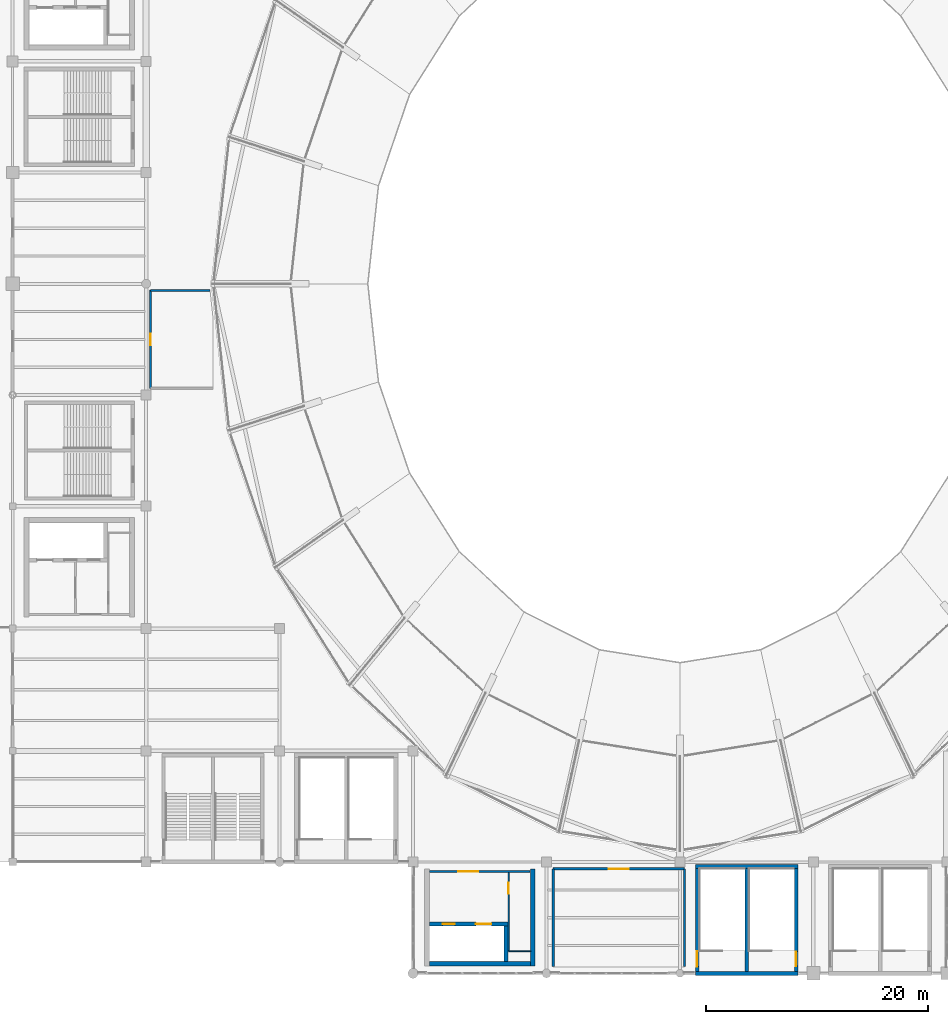
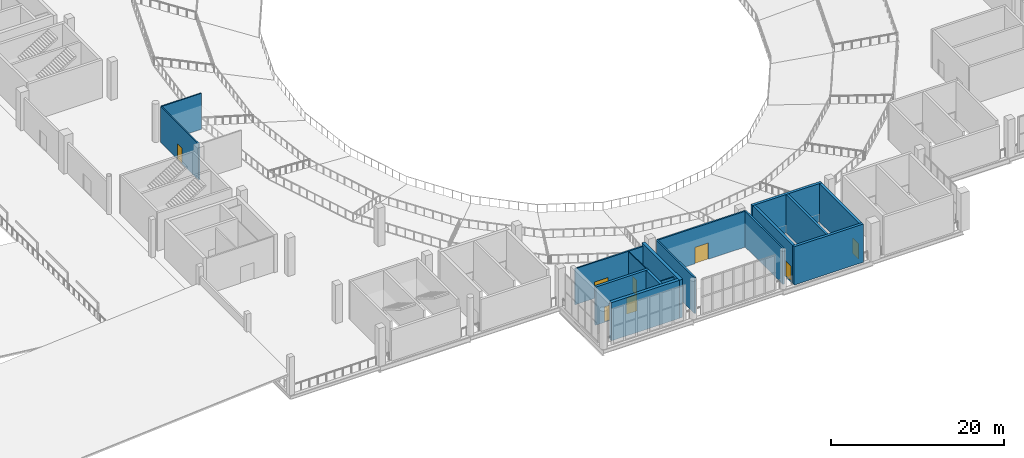
# One storey, part 51 of 74: 17 walls, 8 doors, 8 openings.
"""IFC4 building model written with IfcOpenShell, lengths in metres."""

from ifc_helpers import new_model, si_unit, direction, frame, frame_2d, origin, place, context, subcontext, project, spatial, rectangle, extrude, material, layer, layer_set, type_object, element, fill, save


model = new_model("IFC4")

# Units and contexts
model_context = context("Model", 3, precision=1e-05, world=origin(), true_north=direction((0.0, 1.0)))
body_context = subcontext(model_context, "Body", "Model", "MODEL_VIEW")
ifc_project = project(units=[si_unit("LENGTHUNIT", "METRE"), si_unit("AREAUNIT", "SQUARE_METRE"), si_unit("VOLUMEUNIT", "CUBIC_METRE"), si_unit("PLANEANGLEUNIT", "RADIAN"), si_unit("MASSUNIT", "GRAM", prefix="KILO")], contexts=[model_context])

# Site, building, storey
site_placement = place(None, origin())
site = spatial("IfcSite", under=ifc_project, at=site_placement, CompositionType="ELEMENT")
building_placement = place(site_placement, origin())
building = spatial("IfcBuilding", under=site, at=building_placement, Name="Brinegate Civic Arena", CompositionType="ELEMENT")
storey_placement = place(building_placement, frame((0.0, 0.0, 19.199951171875)))
storey = spatial("IfcBuildingStorey", under=building, at=storey_placement, Name="L04", CompositionType="ELEMENT", Elevation=19.199951171875)

# Wall
ifc_material_1 = material(Name="Concrete C50/60", Category="concrete")
ifc_layer_1 = layer(ifc_material_1, 0.35009765625, Name="Concrete C50/60")
ifc_layer_set_1 = layer_set([ifc_layer_1], Name="Concrete C50/60")
wall_type_1 = type_object("IfcWallType", Name="WALL-CORE-SHEAR-350", PredefinedType="SHEAR", material=ifc_layer_set_1)
wall_1_placement = place(storey_placement, frame((109.375, 9.60009765625, 0.0), z_axis=(0.0, 0.0, 1.0), x_axis=(1.0, 0.0, 0.0)))
element("IfcWall", 1, at=wall_1_placement, inside=storey, type_object=wall_type_1, Name="Stair ST-16 North Shear Wall L04 (WBF-32)", PredefinedType="SHEAR", context=body_context, shape_type="SweptSolid", body=[
    extrude(rectangle(XDim=9.25, YDim=0.35009765625, at=frame_2d((4.625, 0.0))), origin(), (0.0, 0.0, 1.0), 5.400146484375),
])

# Wall, opening, door
wall_2_placement = place(storey_placement, frame((109.550048828125, 0.175048828125, 0.0), z_axis=(0.0, 0.0, 1.0), x_axis=(0.0, 1.0, 0.0)))
wall_2 = element("IfcWall", 2, at=wall_2_placement, inside=storey, type_object=wall_type_1, Name="Stair ST-16 West Shear Wall L04 (WBF-33)", PredefinedType="SHEAR", context=body_context, shape_type="SweptSolid", body=[
    extrude(rectangle(XDim=9.25, YDim=0.35009765625, at=frame_2d((4.625, 0.0))), origin(), (0.0, 0.0, 1.0), 5.400146484375),
])
opening_1_placement = place(wall_2_placement, frame((0.425048828125, 0.0, 0.0)))
opening_1 = element("IfcOpeningElement", 3, at=opening_1_placement, cuts=wall_2, Name="Opening D-ST16A-L04", PredefinedType="OPENING", context=body_context, shape_type="SweptSolid", body=[
    extrude(rectangle(XDim=1.39990234375, YDim=2.199951171875, at=frame_2d((0.699951171875, 1.10009765625))), frame((0.0, 0.18505859375, 0.0), z_axis=(0.0, -1.0, 0.0), x_axis=(1.0, 0.0, 0.0)), (0.0, 0.0, 1.0), 0.3701171875),
])
ifc_material_2 = material(Name="Galvanized hurricane steel", Category="steel")
door_type_1 = type_object("IfcDoorType", Name="DOOR-STAIR-2400X2200", OperationType="NOTDEFINED", PredefinedType="DOOR", material=ifc_material_2)
door_1_placement = place(opening_1_placement, frame((1.39990234375, 0.0, 0.0), z_axis=(0.0, 0.0, 1.0), x_axis=(-1.0, 0.0, 0.0)))
door_1 = element("IfcDoor", 4, at=door_1_placement, inside=storey, type_object=door_type_1, Name="Protected Exit Stair Door D-ST16A-L04", OperationType="DOUBLE_DOOR_SINGLE_SWING", OverallHeight=2.199951171875, OverallWidth=1.39990234375, PredefinedType="DOOR", context=body_context, shape_type="SweptSolid", body=[
    extrude(rectangle(XDim=1.39990234375, YDim=2.199951171875, at=frame_2d((0.699951171875, 1.10009765625))), frame((0.0, 0.02490234375, 0.0), z_axis=(0.0, -1.0, 0.0), x_axis=(1.0, 0.0, 0.0)), (0.0, 0.0, 1.0), 0.050048828125),
])
fill(opening_1, door_1)

wall_3_placement = place(storey_placement, frame((118.449951171875, 0.175048828125, 0.0), z_axis=(0.0, 0.0, 1.0), x_axis=(0.0, 1.0, 0.0)))
wall_3 = element("IfcWall", 5, at=wall_3_placement, inside=storey, type_object=wall_type_1, Name="Stair ST-16 East Shear Wall L04 (WBF-34)", PredefinedType="SHEAR", context=body_context, shape_type="SweptSolid", body=[
    extrude(rectangle(XDim=9.25, YDim=0.35009765625, at=frame_2d((4.625, 0.0))), origin(), (0.0, 0.0, 1.0), 5.400146484375),
])
opening_2_placement = place(wall_3_placement, frame((0.465087890625, 0.0, 0.0)))
opening_2 = element("IfcOpeningElement", 6, at=opening_2_placement, cuts=wall_3, Name="Opening D-ST16B-L04", PredefinedType="OPENING", context=body_context, shape_type="SweptSolid", body=[
    extrude(rectangle(XDim=1.320068359375, YDim=2.199951171875, at=frame_2d((0.66015625, 1.10009765625))), frame((0.0, 0.18505859375, 0.0), z_axis=(0.0, -1.0, 0.0), x_axis=(1.0, 0.0, 0.0)), (0.0, 0.0, 1.0), 0.3701171875),
])
door_type_2 = type_object("IfcDoorType", Name="DOOR-STAIR-2200X2200", OperationType="NOTDEFINED", PredefinedType="DOOR", material=ifc_material_2)
door_2_placement = place(opening_2_placement, origin())
door_2 = element("IfcDoor", 7, at=door_2_placement, inside=storey, type_object=door_type_2, Name="Protected Exit Stair Door D-ST16B-L04", OperationType="DOUBLE_DOOR_SINGLE_SWING", OverallHeight=2.199951171875, OverallWidth=1.320068359375, PredefinedType="DOOR", context=body_context, shape_type="SweptSolid", body=[
    extrude(rectangle(XDim=1.320068359375, YDim=2.199951171875, at=frame_2d((0.66015625, 1.10009765625))), frame((0.0, 0.02490234375, 0.0), z_axis=(0.0, -1.0, 0.0), x_axis=(1.0, 0.0, 0.0)), (0.0, 0.0, 1.0), 0.050048828125),
])
fill(opening_2, door_2)

# Wall, openings, doors
wall_4_placement = place(storey_placement, frame((85.4599609375, 4.449951171875, 0.0), z_axis=(0.0, 0.0, 1.0), x_axis=(1.0, 0.0, 0.0)))
wall_4 = element("IfcWall", 8, at=wall_4_placement, inside=storey, type_object=wall_type_1, Name="Core K4 Lift Shaft Front Wall L04 (WBH-35)", PredefinedType="SHEAR", context=body_context, shape_type="SweptSolid", body=[
    extrude(rectangle(XDim=7.06494140625, YDim=0.35009765625, at=frame_2d((3.532470703125, 0.0))), origin(), (0.0, 0.0, 1.0), 5.400146484375),
])
opening_3_placement = place(wall_4_placement, frame((1.18994140625, 0.0, 0.0)))
opening_3 = element("IfcOpeningElement", 9, at=opening_3_placement, cuts=wall_4, Name="Opening LD-PL6-L04", PredefinedType="OPENING", context=body_context, shape_type="SweptSolid", body=[
    extrude(rectangle(XDim=1.10009765625, YDim=2.199951171875, at=frame_2d((0.550048828125, 1.10009765625))), frame((0.0, 0.18505859375, 0.0), z_axis=(0.0, -1.0, 0.0), x_axis=(1.0, 0.0, 0.0)), (0.0, 0.0, 1.0), 0.3701171875),
])
opening_4_placement = place(wall_4_placement, frame((4.18994140625, 0.0, 0.0)))
opening_4 = element("IfcOpeningElement", 10, at=opening_4_placement, cuts=wall_4, Name="Opening LD-GL1-L04", PredefinedType="OPENING", context=body_context, shape_type="SweptSolid", body=[
    extrude(rectangle(XDim=1.39990234375, YDim=2.300048828125, at=frame_2d((0.699951171875, 1.14990234375))), frame((0.0, 0.18505859375, 0.0), z_axis=(0.0, -1.0, 0.0), x_axis=(1.0, 0.0, 0.0)), (0.0, 0.0, 1.0), 0.3701171875),
])
ifc_material_3 = material(Name="Architectural stainless steel balustrade", Category="steel")
door_type_3 = type_object("IfcDoorType", Name="DOOR-LIFT-1100X2200", OperationType="SLIDING_TO_LEFT", PredefinedType="DOOR", material=ifc_material_3)
door_3_placement = place(opening_3_placement, origin())
door_3 = element("IfcDoor", 11, at=door_3_placement, inside=storey, type_object=door_type_3, Name="Sliding Lift Landing Door LD-PL6-L04", OperationType="SLIDING_TO_LEFT", OverallHeight=2.199951171875, OverallWidth=1.10009765625, PredefinedType="DOOR", context=body_context, shape_type="SweptSolid", body=[
    extrude(rectangle(XDim=1.10009765625, YDim=2.199951171875, at=frame_2d((0.550048828125, 1.10009765625))), frame((0.0, 0.02490234375, 0.0), z_axis=(0.0, -1.0, 0.0), x_axis=(1.0, 0.0, 0.0)), (0.0, 0.0, 1.0), 0.050048828125),
])
fill(opening_3, door_3)
door_type_4 = type_object("IfcDoorType", Name="DOOR-LIFT-1400X2300", OperationType="SLIDING_TO_LEFT", PredefinedType="DOOR", material=ifc_material_3)
door_4_placement = place(opening_4_placement, origin())
door_4 = element("IfcDoor", 12, at=door_4_placement, inside=storey, type_object=door_type_4, Name="Sliding Lift Landing Door LD-GL1-L04", OperationType="SLIDING_TO_LEFT", OverallHeight=2.300048828125, OverallWidth=1.39990234375, PredefinedType="DOOR", context=body_context, shape_type="SweptSolid", body=[
    extrude(rectangle(XDim=1.39990234375, YDim=2.300048828125, at=frame_2d((0.699951171875, 1.14990234375))), frame((0.0, 0.02490234375, 0.0), z_axis=(0.0, -1.0, 0.0), x_axis=(1.0, 0.0, 0.0)), (0.0, 0.0, 1.0), 0.050048828125),
])
fill(opening_4, door_4)

# Walls
wall_5_placement = place(storey_placement, frame((92.35009765625, 1.06005859375, 0.0), z_axis=(0.0, 0.0, 1.0), x_axis=(0.0, 1.0, 0.0)))
element("IfcWall", 13, at=wall_5_placement, inside=storey, type_object=wall_type_1, Name="Core K4 Lift Shaft End Wall L04 (WBH-36)", PredefinedType="SHEAR", context=body_context, shape_type="SweptSolid", body=[
    extrude(rectangle(XDim=3.21484375, YDim=0.35009765625, at=frame_2d((1.607421875, 0.0))), origin(), (0.0, 0.0, 1.0), 5.400146484375),
])
ifc_layer_2 = layer(ifc_material_1, 0.419921875, Name="Concrete C50/60")
ifc_layer_set_2 = layer_set([ifc_layer_2], Name="Concrete C50/60")
wall_type_2 = type_object("IfcWallType", Name="WALL-CORE-SHEAR-420", PredefinedType="SHEAR", material=ifc_layer_set_2)
wall_6_placement = place(storey_placement, frame((94.75, 0.639892578125, 0.0), z_axis=(0.0, 0.0, 1.0), x_axis=(0.0, 1.0, 0.0)))
element("IfcWall", 14, at=wall_6_placement, inside=storey, type_object=wall_type_2, Name="Core K4 East Shear Wall L04 (WBH-33)", PredefinedType="SHEAR", context=body_context, shape_type="SweptSolid", body=[
    extrude(rectangle(XDim=8.72021484375, YDim=0.419921875, at=frame_2d((4.360107421875, 0.0))), origin(), (0.0, 0.0, 1.0), 5.400146484375),
])
wall_7_placement = place(storey_placement, frame((85.4599609375, 0.85009765625, 0.0), z_axis=(0.0, 0.0, 1.0), x_axis=(1.0, 0.0, 0.0)))
element("IfcWall", 15, at=wall_7_placement, inside=storey, type_object=wall_type_2, Name="Core K4 South Shear Wall L04 (WBH-34)", PredefinedType="SHEAR", context=body_context, shape_type="SweptSolid", body=[
    extrude(rectangle(XDim=9.080078125, YDim=0.419921875, at=frame_2d((4.5400390625, 0.0))), origin(), (0.0, 0.0, 1.0), 5.400146484375),
])
ifc_layer_3 = layer(ifc_material_1, 0.35009765625, Name="Concrete C50/60")
ifc_layer_set_3 = layer_set([ifc_layer_3], Name="Concrete C50/60")
wall_type_3 = type_object("IfcWallType", Name="WALL-EXT-STAIR-SHEAR-350", PredefinedType="SHEAR", material=ifc_layer_set_3)
wall_8_placement = place(storey_placement, frame((109.375, 0.0, 0.0), z_axis=(0.0, 0.0, 1.0), x_axis=(1.0, 0.0, 0.0)))
element("IfcWall", 16, at=wall_8_placement, inside=storey, type_object=wall_type_3, Name="Stair ST-16 South Shear Wall L04 (WBF-31)", PredefinedType="SHEAR", context=body_context, shape_type="SweptSolid", body=[
    extrude(rectangle(XDim=9.25, YDim=0.35009765625, at=frame_2d((4.625, 0.0))), origin(), (0.0, 0.0, 1.0), 5.400146484375),
])
ifc_material_4 = material(Name="Concrete C40/50", Category="concrete")
ifc_layer_4 = layer(ifc_material_4, 0.2099609375, Name="Concrete C40/50")
ifc_layer_set_4 = layer_set([ifc_layer_4], Name="Concrete C40/50")
wall_type_4 = type_object("IfcWallType", Name="WALL-INT-SOLID-210", PredefinedType="SOLIDWALL", material=ifc_layer_set_4)
for number, where, z_axis, x_axis, name in (
    (17, (108.39990234375, 9.39990234375, 0.0), (0.0, 0.0, 1.0), (0.0, -1.0, 0.0), "Upper South Spectator Food Court Partition Wall E1 (WBK-33)"),
    (18, (96.60009765625, 0.60009765625, 0.0), (0.0, 0.0, 1.0), (0.0, 1.0, 0.0), "Upper South Spectator Food Court Partition Wall E3 (WBK-34)"),
):
    element("IfcWall", number, at=place(storey_placement, frame(where, z_axis=z_axis, x_axis=x_axis)), inside=storey, type_object=wall_type_4, Name=name, PredefinedType="SOLIDWALL", context=body_context, shape_type="SweptSolid", body=[
        extrude(rectangle(XDim=8.7998046875, YDim=0.2099609375, at=frame_2d((4.39990234375, 0.0))), origin(), (0.0, 0.0, 1.0), 5.070068359375),
    ])

# Wall, opening, door
wall_9_placement = place(storey_placement, frame((96.60009765625, 9.39990234375, 0.0), z_axis=(0.0, 0.0, 1.0), x_axis=(1.0, 0.0, 0.0)))
wall_9 = element("IfcWall", 19, at=wall_9_placement, inside=storey, type_object=wall_type_4, Name="Upper South Spectator Food Court Partition Wall E4 (WBK-35)", PredefinedType="SOLIDWALL", context=body_context, shape_type="SweptSolid", body=[
    extrude(rectangle(XDim=11.7998046875, YDim=0.2099609375, at=frame_2d((5.89990234375, 0.0))), origin(), (0.0, 0.0, 1.0), 5.070068359375),
])
opening_5_placement = place(wall_9_placement, frame((5.0, 0.0, 0.0)))
opening_5 = element("IfcOpeningElement", 20, at=opening_5_placement, cuts=wall_9, Name="Opening D-L04-217", PredefinedType="OPENING", context=body_context, shape_type="SweptSolid", body=[
    extrude(rectangle(XDim=1.800048828125, YDim=2.300048828125, at=frame_2d((0.89990234375, 1.14990234375))), frame((0.0, 0.114990234375, 0.0), z_axis=(0.0, -1.0, 0.0), x_axis=(1.0, 0.0, 0.0)), (0.0, 0.0, 1.0), 0.22998046875),
])
ifc_material_5 = material(Name="Marine grade aluminium", Category="aluminium")
door_type_5 = type_object("IfcDoorType", Name="DOOR-CONC-1800X2300", OperationType="NOTDEFINED", PredefinedType="DOOR", material=ifc_material_5)
door_5_placement = place(opening_5_placement, origin())
door_5 = element("IfcDoor", 21, at=door_5_placement, inside=storey, type_object=door_type_5, Name="Upper South Spectator Food Court Door D-L04-217", OperationType="DOUBLE_DOOR_SINGLE_SWING", OverallHeight=2.300048828125, OverallWidth=1.800048828125, PredefinedType="DOOR", context=body_context, shape_type="SweptSolid", body=[
    extrude(rectangle(XDim=1.800048828125, YDim=2.300048828125, at=frame_2d((0.89990234375, 1.14990234375))), frame((0.0, 0.02490234375, 0.0), z_axis=(0.0, -1.0, 0.0), x_axis=(1.0, 0.0, 0.0)), (0.0, 0.0, 1.0), 0.050048828125),
])
fill(opening_5, door_5)

ifc_material_6 = material(Name="Fire-rated gypsum partition assembly")
ifc_layer_5 = layer(ifc_material_6, 0.159912109375, Name="Fire-rated gypsum partition assembly")
ifc_layer_set_5 = layer_set([ifc_layer_5], Name="Fire-rated gypsum partition assembly")
wall_type_5 = type_object("IfcWallType", Name="WALL-PART-RATED-160", PredefinedType="PARTITIONING", material=ifc_layer_set_5)
wall_10_placement = place(storey_placement, frame((60.39990234375, 52.60009765625, 0.0), z_axis=(0.0, 0.0, 1.0), x_axis=(0.0, 1.0, 0.0)))
wall_10 = element("IfcWall", 22, at=wall_10_placement, inside=storey, type_object=wall_type_5, Name="Upper Bowl First Aid Room Partition Wall E1 (WBK-38)", PredefinedType="PARTITIONING", context=body_context, shape_type="SweptSolid", body=[
    extrude(rectangle(XDim=8.7998046875, YDim=0.159912109375, at=frame_2d((4.39990234375, 0.0))), origin(), (0.0, 0.0, 1.0), 5.070068359375),
])
opening_6_placement = place(wall_10_placement, frame((3.875, 0.0, 0.0)))
opening_6 = element("IfcOpeningElement", 23, at=opening_6_placement, cuts=wall_10, Name="Opening D-L04-219", PredefinedType="OPENING", context=body_context, shape_type="SweptSolid", body=[
    extrude(rectangle(XDim=1.050048828125, YDim=2.199951171875, at=frame_2d((0.52490234375, 1.10009765625))), frame((0.0, 0.08984375, 0.0), z_axis=(0.0, -1.0, 0.0), x_axis=(1.0, 0.0, 0.0)), (0.0, 0.0, 1.0), 0.179931640625),
])
ifc_material_7 = material(Name="Hardwood acoustic timber door", Category="wood")
door_type_6 = type_object("IfcDoorType", Name="DOOR-SUITE-1050X2200", OperationType="NOTDEFINED", PredefinedType="DOOR", material=ifc_material_7)
door_6_placement = place(opening_6_placement, origin())
door_6 = element("IfcDoor", 24, at=door_6_placement, inside=storey, type_object=door_type_6, Name="Upper Bowl First Aid Room Door D-L04-219", OperationType="SINGLE_SWING_RIGHT", OverallHeight=2.199951171875, OverallWidth=1.050048828125, PredefinedType="DOOR", context=body_context, shape_type="SweptSolid", body=[
    extrude(rectangle(XDim=1.050048828125, YDim=2.199951171875, at=frame_2d((0.52490234375, 1.10009765625))), frame((0.0, 0.02490234375, 0.0), z_axis=(0.0, -1.0, 0.0), x_axis=(1.0, 0.0, 0.0)), (0.0, 0.0, 1.0), 0.050048828125),
])
fill(opening_6, door_6)

# Wall
wall_11_placement = place(storey_placement, frame((60.39990234375, 61.39990234375, 0.0), z_axis=(0.0, 0.0, 1.0), x_axis=(1.0, 0.0, 0.0)))
element("IfcWall", 25, at=wall_11_placement, inside=storey, type_object=wall_type_5, Name="Upper Bowl First Aid Room Partition Wall E2 (WBK-39)", PredefinedType="PARTITIONING", context=body_context, shape_type="SweptSolid", body=[
    extrude(rectangle(XDim=5.32421875, YDim=0.159912109375, at=frame_2d((2.662109375, 0.0))), origin(), (0.0, 0.0, 1.0), 5.070068359375),
])

# Wall, opening, door
ifc_material_8 = material(Name="Concrete blockwork masonry", Category="masonry")
ifc_layer_6 = layer(ifc_material_8, 0.18994140625, Name="Concrete blockwork masonry")
ifc_layer_set_6 = layer_set([ifc_layer_6], Name="Concrete blockwork masonry")
wall_type_6 = type_object("IfcWallType", Name="WALL-PART-RATED-190", PredefinedType="PARTITIONING", material=ifc_layer_set_6)
wall_12_placement = place(storey_placement, frame((85.469970703125, 9.14990234375, 0.0), z_axis=(0.0, 0.0, 1.0), x_axis=(1.0, 0.0, 0.0)))
wall_12 = element("IfcWall", 26, at=wall_12_placement, inside=storey, type_object=wall_type_6, Name="Core K4 Concourse Lobby Wall L04 (WBH-37)", PredefinedType="PARTITIONING", context=body_context, shape_type="SweptSolid", body=[
    extrude(rectangle(XDim=9.06005859375, YDim=0.18994140625, at=frame_2d((4.530029296875, 0.0))), origin(), (0.0, 0.0, 1.0), 5.070068359375),
])
opening_7_placement = place(wall_12_placement, frame((2.60009765625, 0.0, 0.0)))
opening_7 = element("IfcOpeningElement", 27, at=opening_7_placement, cuts=wall_12, Name="Opening D-K4L-L04", PredefinedType="OPENING", context=body_context, shape_type="SweptSolid", body=[
    extrude(rectangle(XDim=1.800048828125, YDim=2.300048828125, at=frame_2d((0.89990234375, 1.14990234375))), frame((0.0, 0.10498046875, 0.0), z_axis=(0.0, -1.0, 0.0), x_axis=(1.0, 0.0, 0.0)), (0.0, 0.0, 1.0), 0.2099609375),
])
door_7_placement = place(opening_7_placement, origin())
door_7 = element("IfcDoor", 28, at=door_7_placement, inside=storey, type_object=door_type_5, Name="Lift Lobby Door D-K4L-L04", OperationType="DOUBLE_DOOR_SINGLE_SWING", OverallHeight=2.300048828125, OverallWidth=1.800048828125, PredefinedType="DOOR", context=body_context, shape_type="SweptSolid", body=[
    extrude(rectangle(XDim=1.800048828125, YDim=2.300048828125, at=frame_2d((0.89990234375, 1.14990234375))), frame((0.0, 0.02490234375, 0.0), z_axis=(0.0, -1.0, 0.0), x_axis=(1.0, 0.0, 0.0)), (0.0, 0.0, 1.0), 0.050048828125),
])
fill(opening_7, door_7)

ifc_layer_7 = layer(ifc_material_8, 0.10009765625, Name="Concrete blockwork masonry")
ifc_layer_set_7 = layer_set([ifc_layer_7], Name="Concrete blockwork masonry")
wall_type_7 = type_object("IfcWallType", Name="WALL-PART-WET-100", PredefinedType="PARTITIONING", material=ifc_layer_set_7)
wall_13_placement = place(storey_placement, frame((92.60009765625, 2.0, 0.0), z_axis=(0.0, 0.0, 1.0), x_axis=(0.0, 1.0, 0.0)))
wall_13 = element("IfcWall", 29, at=wall_13_placement, inside=storey, type_object=wall_type_7, Name="Accessible WC K4 Partition L04 (WBH-38)", PredefinedType="PARTITIONING", context=body_context, shape_type="SweptSolid", body=[
    extrude(rectangle(XDim=7.050048828125, YDim=0.10009765625, at=frame_2d((3.52490234375, 0.0))), origin(), (0.0, 0.0, 1.0), 5.070068359375),
])
opening_8_placement = place(wall_13_placement, frame((5.14990234375, 0.0, 0.0)))
opening_8 = element("IfcOpeningElement", 30, at=opening_8_placement, cuts=wall_13, Name="Opening D-K4W-L04", PredefinedType="OPENING", context=body_context, shape_type="SweptSolid", body=[
    extrude(rectangle(XDim=1.0, YDim=2.10009765625, at=frame_2d((0.5, 1.050048828125))), frame((0.0, 0.06005859375, 0.0), z_axis=(0.0, -1.0, 0.0), x_axis=(1.0, 0.0, 0.0)), (0.0, 0.0, 1.0), 0.1201171875),
])
door_type_7 = type_object("IfcDoorType", Name="DOOR-AWC-1000X2100", OperationType="NOTDEFINED", PredefinedType="DOOR", material=ifc_material_7)
door_8_placement = place(opening_8_placement, origin())
door_8 = element("IfcDoor", 31, at=door_8_placement, inside=storey, type_object=door_type_7, Name="Accessible WC Door D-K4W-L04", OperationType="SINGLE_SWING_LEFT", OverallHeight=2.10009765625, OverallWidth=1.0, PredefinedType="DOOR", context=body_context, shape_type="SweptSolid", body=[
    extrude(rectangle(XDim=1.0, YDim=2.10009765625, at=frame_2d((0.5, 1.050048828125))), frame((0.0, 0.02490234375, 0.0), z_axis=(0.0, -1.0, 0.0), x_axis=(1.0, 0.0, 0.0)), (0.0, 0.0, 1.0), 0.050048828125),
])
fill(opening_8, door_8)

# Walls
wall_14_placement = place(storey_placement, frame((92.60009765625, 2.0, 0.0), z_axis=(0.0, 0.0, 1.0), x_axis=(1.0, 0.0, 0.0)))
element("IfcWall", 32, at=wall_14_placement, inside=storey, type_object=wall_type_7, Name="Accessible WC K4 Back Partition L04 (WBH-39)", PredefinedType="PARTITIONING", context=body_context, shape_type="SweptSolid", body=[
    extrude(rectangle(XDim=2.0, YDim=0.10009765625, at=frame_2d((1.0, 0.0))), origin(), (0.0, 0.0, 1.0), 5.070068359375),
])
ifc_layer_8 = layer(ifc_material_1, 0.2900390625, Name="Concrete C50/60")
ifc_layer_set_8 = layer_set([ifc_layer_8], Name="Concrete C50/60")
wall_type_8 = type_object("IfcWallType", Name="WALL-STAIR-SHEAR-290", PredefinedType="SHEAR", material=ifc_layer_set_8)
wall_15_placement = place(storey_placement, frame((114.0, 0.175048828125, 0.0), z_axis=(0.0, 0.0, 1.0), x_axis=(0.0, 1.0, 0.0)))
element("IfcWall", 33, at=wall_15_placement, inside=storey, type_object=wall_type_8, Name="Stair ST-16 Central Dividing Shear Wall L04 (WBF-35)", PredefinedType="SHEAR", context=body_context, shape_type="SweptSolid", body=[
    extrude(rectangle(XDim=9.25, YDim=0.2900390625, at=frame_2d((4.625, 0.0))), origin(), (0.0, 0.0, 1.0), 5.400146484375),
])

save(model, "model.ifc")
